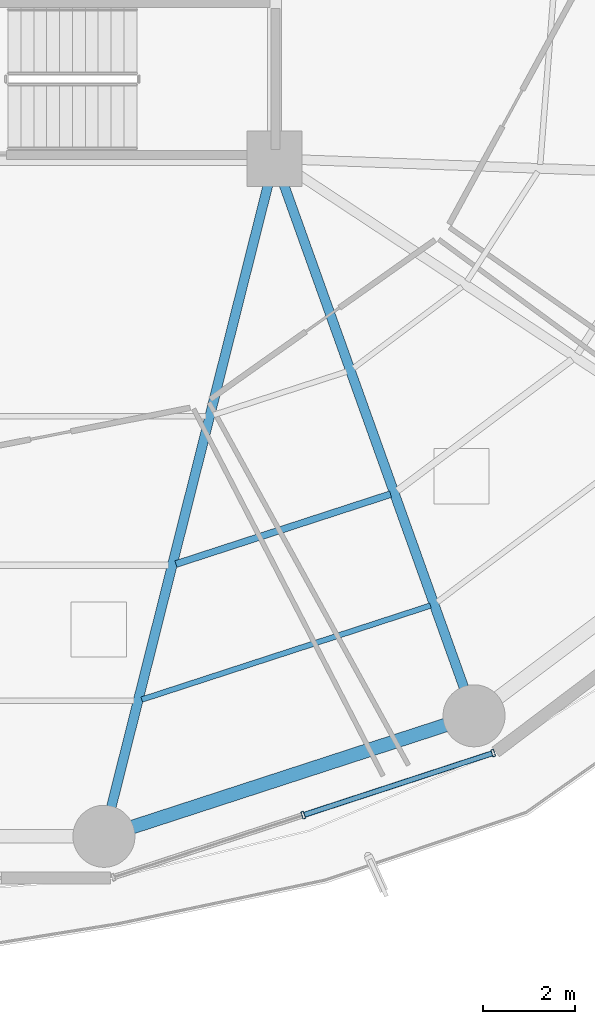
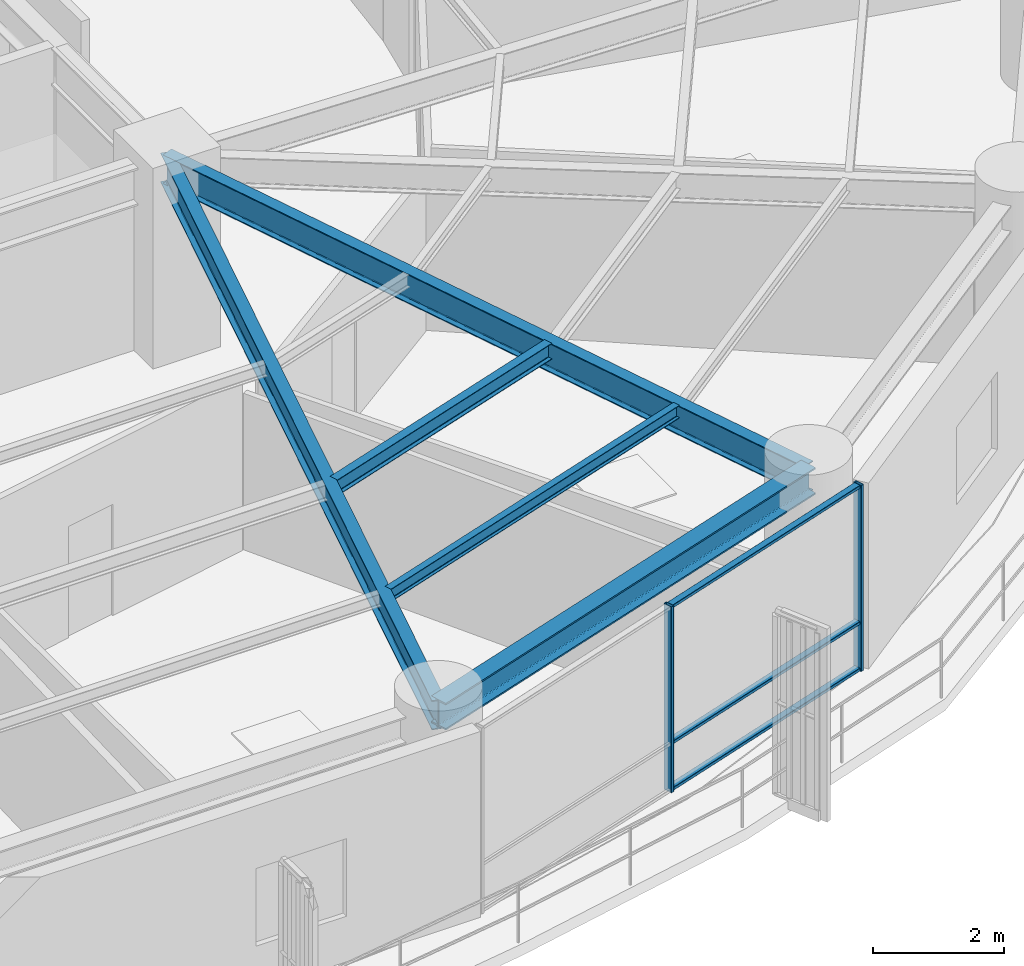
# One storey, part 10 of 35: 5 beams, 5 members, 1 element without a shape of its own.
"""IFC4 building model written with IfcOpenShell, lengths in metres."""

from ifc_helpers import new_model, si_unit, direction, frame, origin, origin_2d, place, context, subcontext, project, spatial, hollow_rectangle, i_section, extrude, material, layer, layer_set, material_profile, profile_set, type_object, element, aggregate, save


model = new_model("IFC4")

# Units and contexts
model_context = context("Model", 3, precision=1e-05, world=origin(), true_north=direction((0.0, 1.0)))
body_context = subcontext(model_context, "Body", "Model", "MODEL_VIEW")
ifc_project = project(units=[si_unit("LENGTHUNIT", "METRE"), si_unit("AREAUNIT", "SQUARE_METRE"), si_unit("VOLUMEUNIT", "CUBIC_METRE"), si_unit("PLANEANGLEUNIT", "RADIAN"), si_unit("MASSUNIT", "GRAM", prefix="KILO")], contexts=[model_context])

# Site, building, storey
site_placement = place(None, origin())
site = spatial("IfcSite", under=ifc_project, at=site_placement, CompositionType="ELEMENT")
building_placement = place(site_placement, origin())
building = spatial("IfcBuilding", under=site, at=building_placement, Name="Kelanora Arch Commons", CompositionType="ELEMENT")
storey_placement = place(building_placement, frame((0.0, 0.0, 121.35009765625)))
storey = spatial("IfcBuildingStorey", under=building, at=storey_placement, Name="L31", CompositionType="ELEMENT", Elevation=121.35009765625)

# Beams
ifc_material_1 = material(Name="Steel S355", Category="steel")
ifc_material_profile_1 = material_profile(ifc_material_1, i_section(OverallWidth=0.14990234375, OverallDepth=0.300048828125, WebThickness=0.007080078125, FlangeThickness=0.0107421875, FilletRadius=0.014892578125, at=origin_2d()), Name="IPE300")
ifc_profile_set_1 = profile_set([ifc_material_profile_1], Name="Steel S355")
beam_type_1 = type_object("IfcBeamType", Name="BM-JST-01", PredefinedType="JOIST", material=ifc_profile_set_1)
beam_1_placement = place(storey_placement, frame((79.852294921875, 42.1796875, 3.33984375), z_axis=(0.950857140254, 0.309629938521, 0.0), x_axis=(-0.309629938521, 0.950857140254, 0.0)))
element("IfcBeam", 1, at=beam_1_placement, inside=storey, type_object=beam_type_1, Name="Secondary Chord Joist BJB-28 L31", PredefinedType="JOIST", context=body_context, shape_type="SweptSolid", body=[
    extrude(i_section(OverallWidth=0.14990234375, OverallDepth=0.300048828125, WebThickness=0.007080078125, FlangeThickness=0.0107421875, FilletRadius=0.014892578125, at=origin_2d()), origin(), (0.0, 0.0, 1.0), 4.912353515625),
])
ifc_material_profile_2 = material_profile(ifc_material_1, i_section(OverallWidth=0.1201171875, OverallDepth=0.239990234375, WebThickness=0.006103515625, FlangeThickness=0.009765625, FilletRadius=0.014892578125, at=origin_2d()), Name="IPE240")
ifc_profile_set_2 = profile_set([ifc_material_profile_2], Name="Steel S355")
beam_type_2 = type_object("IfcBeamType", Name="BM-JST-02", PredefinedType="JOIST", material=ifc_profile_set_2)
beam_2_placement = place(storey_placement, frame((79.109375, 39.230712890625, 3.369873046875), z_axis=(0.950862829272, 0.309612467301, 0.0), x_axis=(-0.309612467301, 0.950862829272, 0.0)))
element("IfcBeam", 2, at=beam_2_placement, inside=storey, type_object=beam_type_2, Name="Secondary Chord Joist BJC-28 L31", PredefinedType="JOIST", context=body_context, shape_type="SweptSolid", body=[
    extrude(i_section(OverallWidth=0.1201171875, OverallDepth=0.239990234375, WebThickness=0.006103515625, FlangeThickness=0.009765625, FilletRadius=0.014892578125, at=origin_2d()), origin(), (0.0, 0.0, 1.0), 6.6064453125),
])
ifc_material_profile_3 = material_profile(ifc_material_1, i_section(OverallWidth=0.2099609375, OverallDepth=0.550048828125, WebThickness=0.010986328125, FlangeThickness=0.01708984375, FilletRadius=0.02392578125, at=origin_2d()), Name="IPE550")
ifc_profile_set_3 = profile_set([ifc_material_profile_3], Name="Steel S355")
beam_type_3 = type_object("IfcBeamType", Name="BM-RAD-Z2", PredefinedType="BEAM", material=ifc_profile_set_3)
beam_3_placement = place(storey_placement, frame((82.0, 51.0, 3.21484375), z_axis=(-0.244280647475, -0.969704576286, 0.0), x_axis=(0.969704576286, -0.244280647475, 0.0)))
element("IfcBeam", 3, at=beam_3_placement, inside=storey, type_object=beam_type_3, Name="Radial Floor Girder BR-28 L31", PredefinedType="BEAM", context=body_context, shape_type="SweptSolid", body=[
    extrude(i_section(OverallWidth=0.2099609375, OverallDepth=0.550048828125, WebThickness=0.010986328125, FlangeThickness=0.01708984375, FilletRadius=0.02392578125, at=origin_2d()), origin(), (0.0, 0.0, 1.0), 15.205322265625),
])
beam_4_placement = place(storey_placement, frame((82.0, 51.0, 3.21484375), z_axis=(0.337084640008, -0.941474346687, 0.0), x_axis=(0.941474346687, 0.337084640008, 0.0)))
element("IfcBeam", 4, at=beam_4_placement, inside=storey, type_object=beam_type_3, Name="Radial Floor Girder BR-30 L31", PredefinedType="BEAM", context=body_context, shape_type="SweptSolid", body=[
    extrude(i_section(OverallWidth=0.2099609375, OverallDepth=0.550048828125, WebThickness=0.010986328125, FlangeThickness=0.01708984375, FilletRadius=0.02392578125, at=origin_2d()), origin(), (0.0, 0.0, 1.0), 12.875244140625),
])
ifc_material_profile_4 = material_profile(ifc_material_1, i_section(OverallWidth=0.300048828125, OverallDepth=0.5, WebThickness=0.014404296875, FlangeThickness=0.028076171875, FilletRadius=0.027099609375, at=origin_2d()), Name="HEB500")
ifc_profile_set_4 = profile_set([ifc_material_profile_4], Name="Steel S355")
beam_type_4 = type_object("IfcBeamType", Name="BM-SPN-Z2", PredefinedType="SPANDREL", material=ifc_profile_set_4)
beam_5_placement = place(storey_placement, frame((78.28564453125, 36.25537109375, 3.239990234375), z_axis=(0.950856631974, 0.309631499418, 0.0), x_axis=(-0.309631499418, 0.950856631974, 0.0)))
element("IfcBeam", 5, at=beam_5_placement, inside=storey, type_object=beam_type_4, Name="Perimeter Spandrel Beam BS-28 L31", PredefinedType="SPANDREL", context=body_context, shape_type="SweptSolid", body=[
    extrude(i_section(OverallWidth=0.300048828125, OverallDepth=0.5, WebThickness=0.014404296875, FlangeThickness=0.028076171875, FilletRadius=0.027099609375, at=origin_2d()), origin(), (0.0, 0.0, 1.0), 8.470703125),
])

# Curtain wall, members
ifc_material_2 = material(Name="Terracotta ceramic-fritted low-E glass and aluminium", Category="masonry")
ifc_layer = layer(ifc_material_2, 0.159912109375)
ifc_layer_set = layer_set([ifc_layer], Name="Terracotta ceramic-fritted low-E glass and aluminium")
curtain_wall_type = type_object("IfcCurtainWallType", Name="CW-SYS-01", PredefinedType="NOTDEFINED", material=ifc_layer_set)
curtain_wall_placement = place(storey_placement, origin())
curtain_wall = element("IfcCurtainWall", 6, at=curtain_wall_placement, inside=storey, type_object=curtain_wall_type, Name="Unitised Curtain Wall L31-B14", PredefinedType="NOTDEFINED")
ifc_material_3 = material(Name="Powder-coated aluminium terracotta", Category="masonry")
ifc_material_profile_5 = material_profile(ifc_material_3, hollow_rectangle(XDim=0.159912109375, YDim=0.06005859375, WallThickness=0.0048828125, InnerFilletRadius=0.0048828125, OuterFilletRadius=0.010009765625, at=origin_2d()), Name="CWM160x60")
ifc_profile_set_5 = profile_set([ifc_material_profile_5], Name="Powder-coated aluminium terracotta")
member_type_1 = type_object("IfcMemberType", Name="CWM-STD", PredefinedType="MULLION", material=ifc_profile_set_5)
member_1_placement = place(storey_placement, frame((82.622802734375, 36.71533203125, 0.0), z_axis=(0.0, 0.0, 1.0), x_axis=(-0.31080470294, 0.950473795867, 0.0)))
member_1 = element("IfcMember", 7, at=member_1_placement, type_object=member_type_1, Name="CW-01 mullion 2", PredefinedType="MULLION", context=body_context, shape_type="SweptSolid", body=[
    extrude(hollow_rectangle(XDim=0.159912109375, YDim=0.06005859375, WallThickness=0.0048828125, InnerFilletRadius=0.0048828125, OuterFilletRadius=0.010009765625, at=origin_2d()), origin(), (0.0, 0.0, 1.0), 3.474853515625),
])
member_2_placement = place(storey_placement, frame((86.757080078125, 38.0673828125, 0.0), z_axis=(0.0, 0.0, 1.0), x_axis=(-0.31080470294, 0.950473795867, 0.0)))
member_2 = element("IfcMember", 8, at=member_2_placement, type_object=member_type_1, Name="CW-01 mullion 3", PredefinedType="MULLION", context=body_context, shape_type="SweptSolid", body=[
    extrude(hollow_rectangle(XDim=0.159912109375, YDim=0.06005859375, WallThickness=0.0048828125, InnerFilletRadius=0.0048828125, OuterFilletRadius=0.010009765625, at=origin_2d()), origin(), (0.0, 0.0, 1.0), 3.474853515625),
])
ifc_material_profile_6 = material_profile(ifc_material_3, hollow_rectangle(XDim=0.1201171875, YDim=0.06005859375, WallThickness=0.0048828125, InnerFilletRadius=0.0048828125, OuterFilletRadius=0.010009765625, at=origin_2d()), Name="CWT120x60")
ifc_profile_set_6 = profile_set([ifc_material_profile_6], Name="Powder-coated aluminium terracotta")
member_type_2 = type_object("IfcMemberType", Name="CWT-STD", PredefinedType="USERDEFINED", material=ifc_profile_set_6)
member_3_placement = place(storey_placement, frame((82.651123046875, 36.724609375, 0.02978515625), z_axis=(0.950466230394, 0.310827838008, 0.0), x_axis=(-0.310827838008, 0.950466230394, 0.0)))
member_3 = element("IfcMember", 9, at=member_3_placement, type_object=member_type_2, Name="CW-01 transom 2.1", ObjectType="TRANSOM", PredefinedType="USERDEFINED", context=body_context, shape_type="SweptSolid", body=[
    extrude(hollow_rectangle(XDim=0.1201171875, YDim=0.06005859375, WallThickness=0.0048828125, InnerFilletRadius=0.0048828125, OuterFilletRadius=0.010009765625, at=origin_2d()), origin(), (0.0, 0.0, 1.0), 4.2900390625),
])
member_4_placement = place(storey_placement, frame((82.651123046875, 36.724609375, 0.89990234375), z_axis=(0.950466230394, 0.310827838008, 0.0), x_axis=(-0.310827838008, 0.950466230394, 0.0)))
member_4 = element("IfcMember", 10, at=member_4_placement, type_object=member_type_2, Name="CW-01 transom 2.2", ObjectType="TRANSOM", PredefinedType="USERDEFINED", context=body_context, shape_type="SweptSolid", body=[
    extrude(hollow_rectangle(XDim=0.1201171875, YDim=0.06005859375, WallThickness=0.0048828125, InnerFilletRadius=0.0048828125, OuterFilletRadius=0.010009765625, at=origin_2d()), origin(), (0.0, 0.0, 1.0), 4.2900390625),
])
member_5_placement = place(storey_placement, frame((82.651123046875, 36.724609375, 3.44482421875), z_axis=(0.950466230394, 0.310827838008, 0.0), x_axis=(-0.310827838008, 0.950466230394, 0.0)))
member_5 = element("IfcMember", 11, at=member_5_placement, type_object=member_type_2, Name="CW-01 transom 2.3", ObjectType="TRANSOM", PredefinedType="USERDEFINED", context=body_context, shape_type="SweptSolid", body=[
    extrude(hollow_rectangle(XDim=0.1201171875, YDim=0.06005859375, WallThickness=0.0048828125, InnerFilletRadius=0.0048828125, OuterFilletRadius=0.010009765625, at=origin_2d()), origin(), (0.0, 0.0, 1.0), 4.2900390625),
])
aggregate(curtain_wall, [member_1, member_2, member_3, member_4, member_5])

save(model, "model.ifc")
